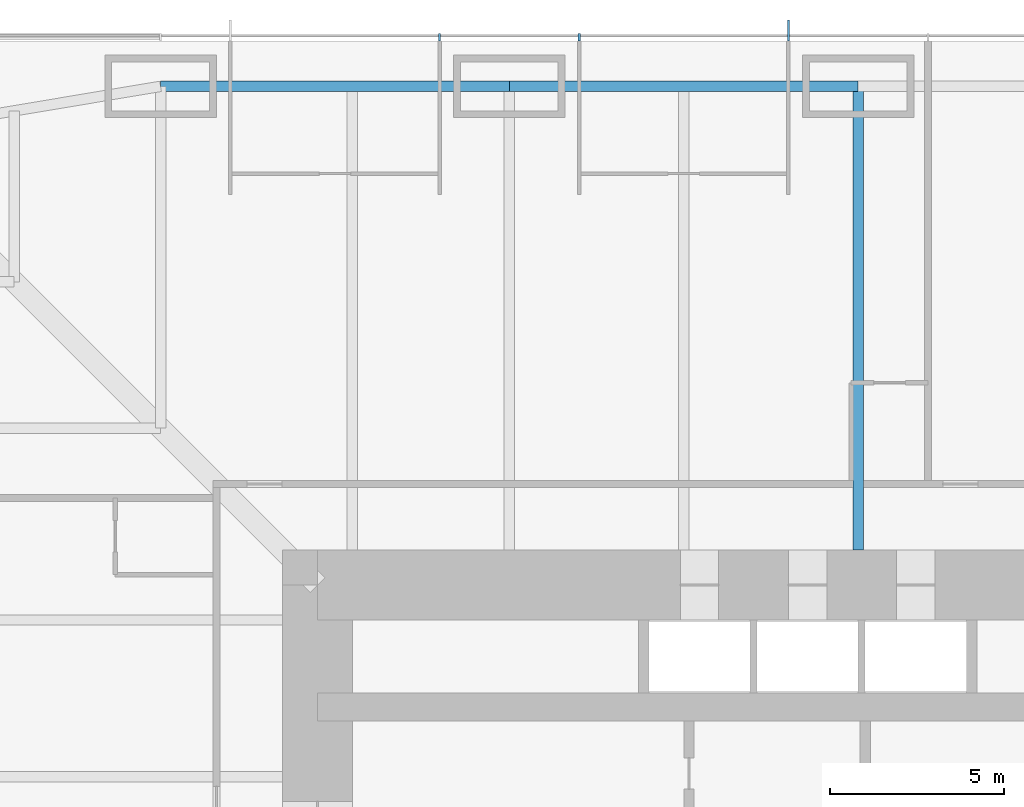
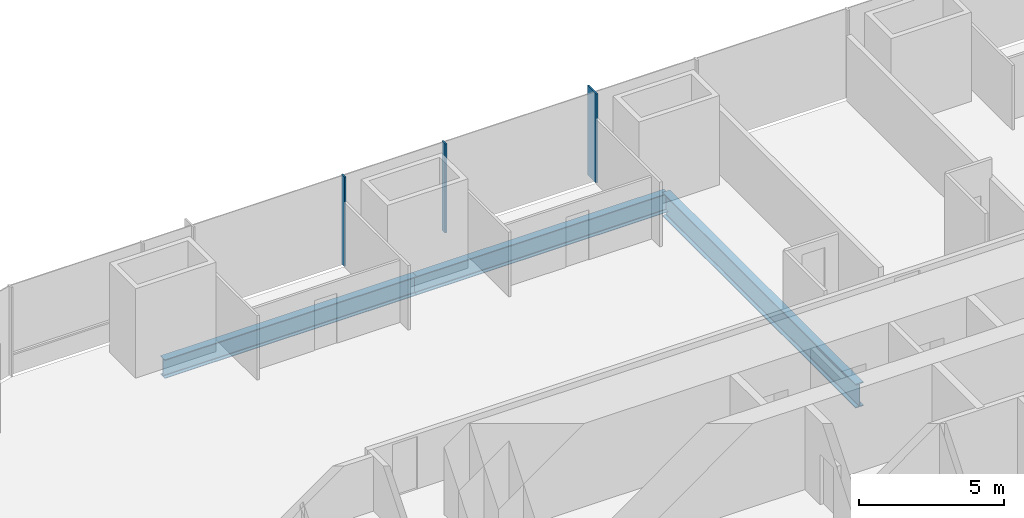
# One storey, part 7 of 17: 3 beams, 3 members, 1 element without a shape of its own.
"""IFC4 building model written with IfcOpenShell, lengths in metres."""

from ifc_helpers import new_model, si_unit, direction, frame, origin, origin_2d, place, context, subcontext, project, spatial, rectangle, i_section, extrude, material, material_profile, profile_set, type_object, element, aggregate, save


model = new_model("IFC4")

# Units and contexts
model_context = context("Model", 3, precision=1e-05, world=origin(), true_north=direction((0.0, 1.0)))
body_context = subcontext(model_context, "Body", "Model", "MODEL_VIEW")
ifc_project = project(units=[si_unit("LENGTHUNIT", "METRE"), si_unit("AREAUNIT", "SQUARE_METRE"), si_unit("VOLUMEUNIT", "CUBIC_METRE"), si_unit("PLANEANGLEUNIT", "RADIAN"), si_unit("MASSUNIT", "GRAM", prefix="KILO")], contexts=[model_context])

# Site, building, storey
site_placement = place(None, origin())
site = spatial("IfcSite", under=ifc_project, at=site_placement, CompositionType="ELEMENT")
building_placement = place(site_placement, origin())
building = spatial("IfcBuilding", under=site, at=building_placement, Name="Khuree Lantern Residences", CompositionType="ELEMENT")
storey_placement = place(building_placement, frame((0.0, 0.0, 77.25)))
storey = spatial("IfcBuildingStorey", under=building, at=storey_placement, Name="L19", CompositionType="ELEMENT", Elevation=77.25)

# Beams
ifc_material_1 = material(Name="Steel S355", Category="steel")
ifc_material_profile_1 = material_profile(ifc_material_1, i_section(OverallWidth=0.300048828125, OverallDepth=0.7900390625, WebThickness=0.014892578125, FlangeThickness=0.028076171875, FilletRadius=0.030029296875, at=origin_2d()), Name="HE 800 A")
ifc_profile_set_1 = profile_set([ifc_material_profile_1], Name="Steel S355")
beam_type_1 = type_object("IfcBeamType", Name="E-14 SPANDREL BEAM HE 800 A", PredefinedType="SPANDREL", material=ifc_profile_set_1)
for number, where, z_axis, x_axis, name in (
    (1, (-20.0, 29.800048828125, -0.64501953125), (1.0, 0.0, 0.0), (0.0, 1.0, 0.0), "Spandrel beam N1"),
    (2, (-10.0, 29.800048828125, -0.64501953125), (1.0, 0.0, 0.0), (0.0, 1.0, 0.0), "Spandrel beam N2"),
):
    element("IfcBeam", number, at=place(storey_placement, frame(where, z_axis=z_axis, x_axis=x_axis)), inside=storey, type_object=beam_type_1, Name=name, PredefinedType="SPANDREL", context=body_context, shape_type="SweptSolid", body=[
        extrude(i_section(OverallWidth=0.300048828125, OverallDepth=0.7900390625, WebThickness=0.014892578125, FlangeThickness=0.028076171875, FilletRadius=0.030029296875, at=origin_2d()), origin(), (0.0, 0.0, 1.0), 10.0),
    ])

# Curtain wall, member
ifc_material_2 = material(Name="Bronze anodised aluminium", Category="aluminium")
curtain_wall_type = type_object("IfcCurtainWallType", Name="CW-T1 TOWER FACE CURTAIN WALL", PredefinedType="USERDEFINED", material=ifc_material_2)
curtain_wall_placement = place(storey_placement, origin())
curtain_wall = element("IfcCurtainWall", 3, at=curtain_wall_placement, inside=storey, type_object=curtain_wall_type, Name="L19 NORTH FACE CURTAIN WALL", ObjectType="Stick-built curtain wall", PredefinedType="USERDEFINED")
ifc_material_profile_2 = material_profile(ifc_material_2, rectangle(XDim=0.06494140625, YDim=0.60009765625, at=origin_2d()), Name="F1 65X600")
ifc_profile_set_2 = profile_set([ifc_material_profile_2], Name="Bronze anodised aluminium")
member_type_1 = type_object("IfcMemberType", Name="F1 BRONZE FIN MULLION TOWER 65X600", PredefinedType="MULLION", material=ifc_profile_set_2)
member_1_placement = place(storey_placement, frame((-2.0, 31.39990234375, 0.0), z_axis=(0.0, 0.0, 1.0), x_axis=(-1.0, 0.0, 0.0)))
member_1 = element("IfcMember", 4, at=member_1_placement, type_object=member_type_1, Name="L19 NORTH FACE FIN MULLION 24", PredefinedType="MULLION", context=body_context, shape_type="SweptSolid", body=[
    extrude(rectangle(XDim=0.06494140625, YDim=0.60009765625, at=origin_2d()), origin(), (0.0, 0.0, 1.0), 3.75),
])

# Beam
ifc_material_profile_3 = material_profile(ifc_material_1, i_section(OverallWidth=0.302001953125, OverallDepth=1.008056640625, WebThickness=0.02099609375, FlangeThickness=0.0400390625, FilletRadius=0.030029296875, at=origin_2d()), Name="HE 1000 M")
ifc_profile_set_3 = profile_set([ifc_material_profile_3], Name="Steel S355")
beam_type_2 = type_object("IfcBeamType", Name="G-14 GIRDER HE 1000 M", PredefinedType="BEAM", material=ifc_profile_set_3)
beam_placement = place(storey_placement, frame((0.0, 29.800048828125, -0.75390625), z_axis=(0.0, -1.0, 0.0), x_axis=(1.0, 0.0, 0.0)))
element("IfcBeam", 5, at=beam_placement, inside=storey, type_object=beam_type_2, Name="Girder N3", PredefinedType="BEAM", context=body_context, shape_type="SweptSolid", body=[
    extrude(i_section(OverallWidth=0.302001953125, OverallDepth=1.008056640625, WebThickness=0.02099609375, FlangeThickness=0.0400390625, FilletRadius=0.030029296875, at=origin_2d()), origin(), (0.0, 0.0, 1.0), 13.300048828125),
])

# Member
ifc_material_profile_4 = material_profile(ifc_material_2, rectangle(XDim=0.06494140625, YDim=0.219970703125, at=origin_2d()), Name="M1 65X220")
ifc_profile_set_4 = profile_set([ifc_material_profile_4], Name="Bronze anodised aluminium")
member_type_2 = type_object("IfcMemberType", Name="M1 BRONZE MULLION TOWER 65X220", PredefinedType="MULLION", material=ifc_profile_set_4)
member_2_placement = place(storey_placement, frame((-8.0, 31.2099609375, 0.0), z_axis=(0.0, 0.0, 1.0), x_axis=(-1.0, 0.0, 0.0)))
member_2 = element("IfcMember", 6, at=member_2_placement, type_object=member_type_2, Name="L19 NORTH FACE MULLION 25", PredefinedType="MULLION", context=body_context, shape_type="SweptSolid", body=[
    extrude(rectangle(XDim=0.06494140625, YDim=0.219970703125, at=origin_2d()), origin(), (0.0, 0.0, 1.0), 3.75),
])

member_3_placement = place(storey_placement, frame((-12.0, 31.2099609375, 0.0), z_axis=(0.0, 0.0, 1.0), x_axis=(-1.0, 0.0, 0.0)))
member_3 = element("IfcMember", 7, at=member_3_placement, type_object=member_type_2, Name="L19 NORTH FACE MULLION 26", PredefinedType="MULLION", context=body_context, shape_type="SweptSolid", body=[
    extrude(rectangle(XDim=0.06494140625, YDim=0.219970703125, at=origin_2d()), origin(), (0.0, 0.0, 1.0), 3.75),
])

aggregate(curtain_wall, [member_1, member_2, member_3])

save(model, "model.ifc")
